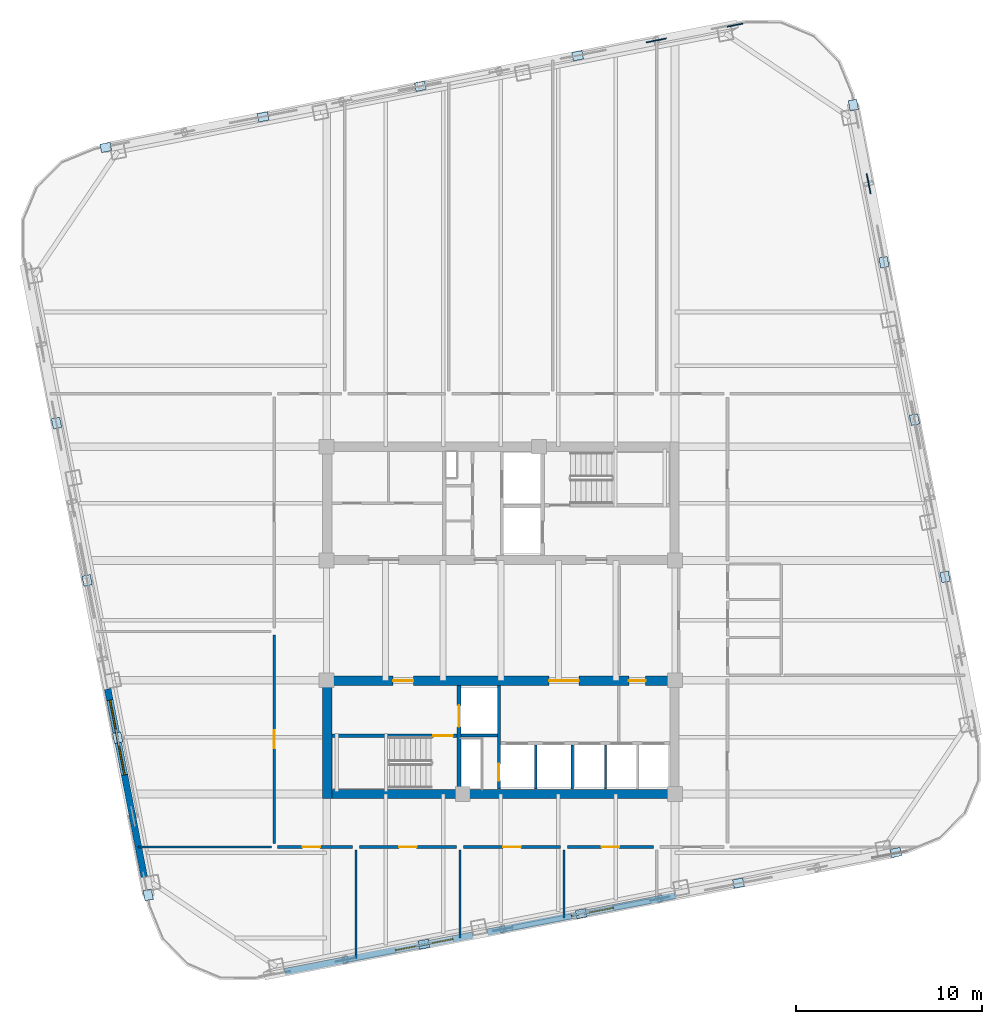
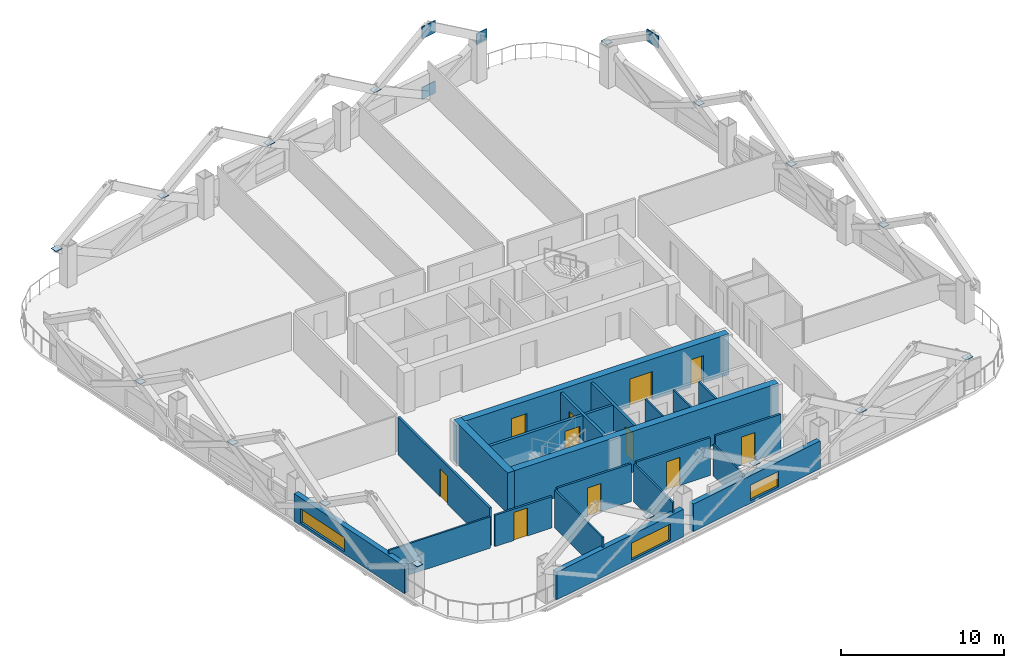
# One storey, part 4 of 10: 22 walls, 20 plates, 11 doors, 3 windows, 14 openings.
"""IFC4 building model written with IfcOpenShell, lengths in metres."""

from ifc_helpers import new_model, si_unit, direction, frame, frame_2d, origin, origin_2d, place, context, subcontext, project, spatial, rectangle, extrude, material, layer, layer_set, type_object, element, fill, save


model = new_model("IFC4")

# Units and contexts
model_context = context("Model", 3, precision=1e-05, world=origin(), true_north=direction((0.0, 1.0)))
body_context = subcontext(model_context, "Body", "Model", "MODEL_VIEW")
ifc_project = project(units=[si_unit("LENGTHUNIT", "METRE"), si_unit("AREAUNIT", "SQUARE_METRE"), si_unit("VOLUMEUNIT", "CUBIC_METRE"), si_unit("PLANEANGLEUNIT", "RADIAN"), si_unit("MASSUNIT", "GRAM", prefix="KILO")], contexts=[model_context])

# Site, building, storey
site_placement = place(None, origin())
site = spatial("IfcSite", under=ifc_project, at=site_placement, CompositionType="ELEMENT")
building_placement = place(site_placement, origin())
building = spatial("IfcBuilding", under=site, at=building_placement, Name="Qhalaya Broadcast Tower", CompositionType="ELEMENT")
storey_placement = place(building_placement, frame((0.0, 0.0, 125.0)))
storey = spatial("IfcBuildingStorey", under=building, at=storey_placement, Name="L36", CompositionType="ELEMENT", Elevation=125.0)

# Plates
ifc_material_1 = material(Name="Structural Steel ASTM A572 Grade 50", Category="steel")
ifc_layer_1 = layer(ifc_material_1, 0.054931640625, Name="Structural Steel ASTM A572 Grade 50")
ifc_layer_set_1 = layer_set([ifc_layer_1], Name="Structural Steel ASTM A572 Grade 50")
plate_type_1 = type_object("IfcPlateType", Name="Exoskeleton Diamond Node Gusset Plate NP-01", PredefinedType="USERDEFINED", material=ifc_layer_set_1)
for number, where, z_axis, x_axis, name in (
    (1, (19.804443359375, 24.109375, 4.75), (0.0, 0.0, 1.0), (-0.190808995377, 0.981627183448, 0.0), "Exoskeleton Diamond Node B3-E4-TOP"),
    (2, (8.370361328125, 31.82177734375, 0.2099609375), (0.0, 0.0, 1.0), (0.981627183448, 0.190808995377, 0.0), "Exoskeleton Diamond Node B3-N1-BOT"),
    (3, (8.370361328125, 31.82177734375, 4.75), (0.0, 0.0, 1.0), (0.981627183448, 0.190808995377, 0.0), "Exoskeleton Diamond Node B3-N1-TOP"),
):
    element("IfcPlate", number, at=place(storey_placement, frame(where, z_axis=z_axis, x_axis=x_axis)), inside=storey, type_object=plate_type_1, Name=name, ObjectType="GUSSET_PLATE", PredefinedType="USERDEFINED", context=body_context, shape_type="SweptSolid", body=[
        extrude(rectangle(XDim=1.10009765625, YDim=0.054931640625, at=origin_2d()), origin(), (0.0, 0.0, 1.0), 0.89990234375),
    ])
plate_placement = place(storey_placement, frame((12.603515625, 32.64453125, 2.264892578125), z_axis=(0.0, 0.0, 1.0), x_axis=(0.981627183448, 0.190808995377, 0.0)))
element("IfcPlate", 4, at=plate_placement, inside=storey, type_object=plate_type_1, Name="Exoskeleton Diamond Node B3-N1-MDL", ObjectType="GUSSET_PLATE", PredefinedType="USERDEFINED", context=body_context, shape_type="SweptSolid", body=[
    extrude(rectangle(XDim=0.85009765625, YDim=0.054931640625, at=origin_2d()), origin(), (0.0, 0.0, 1.0), 0.85009765625),
])
ifc_layer_2 = layer(ifc_material_1, 0.4599609375, Name="Structural Steel ASTM A572 Grade 50")
ifc_layer_set_2 = layer_set([ifc_layer_2], Name="Structural Steel ASTM A572 Grade 50")
plate_type_2 = type_object("IfcPlateType", Name="Hollow Box Member End Cap Plate CP-01", PredefinedType="USERDEFINED", material=ifc_layer_set_2)
for number, where, z_axis, x_axis, name in (
    (5, (-4.13720703125, -16.8388671875, 2.673828125), (0.0, 0.0, 1.0), (0.981627183448, 0.190808995377, 0.0), "Exoskeleton Hollow End Cap B3-S1"),
    (6, (4.32958984375, -15.193115234375, 2.673828125), (0.0, 0.0, 1.0), (0.981627183448, 0.190808995377, 0.0), "Exoskeleton Hollow End Cap B3-S2"),
    (7, (12.7958984375, -13.54736328125, 2.673828125), (0.0, 0.0, 1.0), (0.981627183448, 0.190808995377, 0.0), "Exoskeleton Hollow End Cap B3-S3"),
    (8, (21.262451171875, -11.901611328125, 2.673828125), (0.0, 0.0, 1.0), (0.981627183448, 0.190808995377, 0.0), "Exoskeleton Hollow End Cap B3-S4"),
    (9, (23.918701171875, 2.94287109375, 2.673828125), (0.0, 0.0, 1.0), (-0.190808995377, 0.981627183448, 0.0), "Exoskeleton Hollow End Cap B3-E1"),
    (10, (22.273193359375, 11.409423828125, 2.673828125), (0.0, 0.0, 1.0), (-0.190808995377, 0.981627183448, 0.0), "Exoskeleton Hollow End Cap B3-E2"),
    (11, (20.62744140625, 19.8759765625, 2.673828125), (0.0, 0.0, 1.0), (-0.190808995377, 0.981627183448, 0.0), "Exoskeleton Hollow End Cap B3-E3"),
    (12, (18.981689453125, 28.342529296875, 2.673828125), (0.0, 0.0, 1.0), (-0.190808995377, 0.981627183448, 0.0), "Exoskeleton Hollow End Cap B3-E4"),
    (13, (4.13720703125, 30.998779296875, 2.673828125), (0.0, 0.0, 1.0), (0.981627183448, 0.190808995377, 0.0), "Exoskeleton Hollow End Cap B3-N1"),
    (14, (-4.32958984375, 29.35302734375, 2.673828125), (0.0, 0.0, 1.0), (0.981627183448, 0.190808995377, 0.0), "Exoskeleton Hollow End Cap B3-N2"),
    (15, (-12.7958984375, 27.70751953125, 2.673828125), (0.0, 0.0, 1.0), (0.981627183448, 0.190808995377, 0.0), "Exoskeleton Hollow End Cap B3-N3"),
    (16, (-21.262451171875, 26.061767578125, 2.673828125), (0.0, 0.0, 1.0), (0.981627183448, 0.190808995377, 0.0), "Exoskeleton Hollow End Cap B3-N4"),
    (17, (-23.918701171875, 11.217041015625, 2.673828125), (0.0, 0.0, 1.0), (-0.190808995377, 0.981627183448, 0.0), "Exoskeleton Hollow End Cap B3-W1"),
    (18, (-22.273193359375, 2.75048828125, 2.673828125), (0.0, 0.0, 1.0), (-0.190808995377, 0.981627183448, 0.0), "Exoskeleton Hollow End Cap B3-W2"),
    (19, (-20.62744140625, -5.716064453125, 2.673828125), (0.0, 0.0, 1.0), (-0.190808995377, 0.981627183448, 0.0), "Exoskeleton Hollow End Cap B3-W3"),
    (20, (-18.981689453125, -14.1826171875, 2.673828125), (0.0, 0.0, 1.0), (-0.190808995377, 0.981627183448, 0.0), "Exoskeleton Hollow End Cap B3-W4"),
):
    element("IfcPlate", number, at=place(storey_placement, frame(where, z_axis=z_axis, x_axis=x_axis)), inside=storey, type_object=plate_type_2, Name=name, ObjectType="COVER_PLATE", PredefinedType="USERDEFINED", context=body_context, shape_type="SweptSolid", body=[
        extrude(rectangle(XDim=0.56005859375, YDim=0.4599609375, at=origin_2d()), origin(), (0.0, 0.0, 1.0), 0.031982421875),
    ])

# Wall, opening, door
ifc_material_2 = material(Name="Gypsum Acoustic Partition")
ifc_layer_3 = layer(ifc_material_2, 0.14990234375, Name="Gypsum Acoustic Partition")
ifc_layer_set_3 = layer_set([ifc_layer_3], Name="Gypsum Acoustic Partition")
wall_type_1 = type_object("IfcWallType", Name="Corridor & Tenancy Acoustic Partition 150", PredefinedType="PARTITIONING", material=ifc_layer_set_3)
wall_1_placement = place(storey_placement, frame((-12.02001953125, -11.60009765625, 0.0), z_axis=(0.0, 0.0, 1.0), x_axis=(1.0, 0.0, 0.0)))
wall_1 = element("IfcWall", 21, at=wall_1_placement, inside=storey, type_object=wall_type_1, Name="L36 Partition Wall W-COR-06", PredefinedType="PARTITIONING", context=body_context, shape_type="SweptSolid", body=[
    extrude(rectangle(XDim=4.0400390625, YDim=0.14990234375, at=frame_2d((2.02001953125, 0.0))), origin(), (0.0, 0.0, 1.0), 2.346923828125),
])
opening_1_placement = place(wall_1_placement, frame((1.344970703125, 0.0, 0.0)))
opening_1 = element("IfcOpeningElement", 22, at=opening_1_placement, cuts=wall_1, Name="Opening D10", PredefinedType="OPENING", context=body_context, shape_type="SweptSolid", body=[
    extrude(rectangle(XDim=0.949951171875, YDim=2.10009765625, at=frame_2d((0.47509765625, 1.050048828125))), frame((0.0, 0.0869140625, 0.0), z_axis=(0.0, -1.0, 0.0), x_axis=(1.0, 0.0, 0.0)), (0.0, 0.0, 1.0), 0.173828125),
])
ifc_material_3 = material(Name="Timber Veneer Acoustic Door", Category="wood")
door_type_1 = type_object("IfcDoorType", Name="Cellular Office & Edit Booth Door D10", OperationType="NOTDEFINED", PredefinedType="DOOR", material=ifc_material_3)
door_1_placement = place(opening_1_placement, origin())
door_1 = element("IfcDoor", 23, at=door_1_placement, inside=storey, type_object=door_type_1, Name="L36 Door D-RM06", OperationType="SINGLE_SWING_LEFT", OverallHeight=2.10009765625, OverallWidth=0.949951171875, PredefinedType="DOOR", context=body_context, shape_type="SweptSolid", body=[
    extrude(rectangle(XDim=0.949951171875, YDim=2.10009765625, at=frame_2d((0.47509765625, 1.050048828125))), frame((0.0, 0.02490234375, 0.0), z_axis=(0.0, -1.0, 0.0), x_axis=(1.0, 0.0, 0.0)), (0.0, 0.0, 1.0), 0.050048828125),
])
fill(opening_1, door_1)

wall_2_placement = place(storey_placement, frame((-7.6201171875, -11.60009765625, 0.0), z_axis=(0.0, 0.0, 1.0), x_axis=(1.0, 0.0, 0.0)))
wall_2 = element("IfcWall", 24, at=wall_2_placement, inside=storey, type_object=wall_type_1, Name="L36 Partition Wall W-COR-07", PredefinedType="PARTITIONING", context=body_context, shape_type="SweptSolid", body=[
    extrude(rectangle(XDim=5.240234375, YDim=0.14990234375, at=frame_2d((2.6201171875, 0.0))), origin(), (0.0, 0.0, 1.0), 2.830078125),
])
opening_2_placement = place(wall_2_placement, frame((2.14501953125, 0.0, 0.0)))
opening_2 = element("IfcOpeningElement", 25, at=opening_2_placement, cuts=wall_2, Name="Opening D10", PredefinedType="OPENING", context=body_context, shape_type="SweptSolid", body=[
    extrude(rectangle(XDim=0.949951171875, YDim=2.10009765625, at=frame_2d((0.47509765625, 1.050048828125))), frame((0.0, 0.0869140625, 0.0), z_axis=(0.0, -1.0, 0.0), x_axis=(1.0, 0.0, 0.0)), (0.0, 0.0, 1.0), 0.173828125),
])
door_2_placement = place(opening_2_placement, origin())
door_2 = element("IfcDoor", 26, at=door_2_placement, inside=storey, type_object=door_type_1, Name="L36 Door D-RM07", OperationType="SINGLE_SWING_RIGHT", OverallHeight=2.10009765625, OverallWidth=0.949951171875, PredefinedType="DOOR", context=body_context, shape_type="SweptSolid", body=[
    extrude(rectangle(XDim=0.949951171875, YDim=2.10009765625, at=frame_2d((0.47509765625, 1.050048828125))), frame((0.0, 0.02490234375, 0.0), z_axis=(0.0, -1.0, 0.0), x_axis=(1.0, 0.0, 0.0)), (0.0, 0.0, 1.0), 0.050048828125),
])
fill(opening_2, door_2)

wall_3_placement = place(storey_placement, frame((-2.02001953125, -11.60009765625, 0.0), z_axis=(0.0, 0.0, 1.0), x_axis=(1.0, 0.0, 0.0)))
wall_3 = element("IfcWall", 27, at=wall_3_placement, inside=storey, type_object=wall_type_1, Name="L36 Partition Wall W-COR-08", PredefinedType="PARTITIONING", context=body_context, shape_type="SweptSolid", body=[
    extrude(rectangle(XDim=5.239990234375, YDim=0.14990234375, at=frame_2d((2.6201171875, 0.0))), origin(), (0.0, 0.0, 1.0), 2.830078125),
])
opening_3_placement = place(wall_3_placement, frame((2.14501953125, 0.0, 0.0)))
opening_3 = element("IfcOpeningElement", 28, at=opening_3_placement, cuts=wall_3, Name="Opening D10", PredefinedType="OPENING", context=body_context, shape_type="SweptSolid", body=[
    extrude(rectangle(XDim=0.949951171875, YDim=2.10009765625, at=frame_2d((0.47509765625, 1.050048828125))), frame((0.0, 0.0869140625, 0.0), z_axis=(0.0, -1.0, 0.0), x_axis=(1.0, 0.0, 0.0)), (0.0, 0.0, 1.0), 0.173828125),
])
door_3_placement = place(opening_3_placement, origin())
door_3 = element("IfcDoor", 29, at=door_3_placement, inside=storey, type_object=door_type_1, Name="L36 Door D-RM08", OperationType="SINGLE_SWING_LEFT", OverallHeight=2.10009765625, OverallWidth=0.949951171875, PredefinedType="DOOR", context=body_context, shape_type="SweptSolid", body=[
    extrude(rectangle(XDim=0.949951171875, YDim=2.10009765625, at=frame_2d((0.47509765625, 1.050048828125))), frame((0.0, 0.02490234375, 0.0), z_axis=(0.0, -1.0, 0.0), x_axis=(1.0, 0.0, 0.0)), (0.0, 0.0, 1.0), 0.050048828125),
])
fill(opening_3, door_3)

wall_4_placement = place(storey_placement, frame((3.580078125, -11.60009765625, 0.0), z_axis=(0.0, 0.0, 1.0), x_axis=(1.0, 0.0, 0.0)))
wall_4 = element("IfcWall", 30, at=wall_4_placement, inside=storey, type_object=wall_type_1, Name="L36 Partition Wall W-COR-09", PredefinedType="PARTITIONING", context=body_context, shape_type="SweptSolid", body=[
    extrude(rectangle(XDim=4.639892578125, YDim=0.14990234375, at=frame_2d((2.31982421875, 0.0))), origin(), (0.0, 0.0, 1.0), 2.830078125),
])
opening_4_placement = place(wall_4_placement, frame((1.844970703125, 0.0, 0.0)))
opening_4 = element("IfcOpeningElement", 31, at=opening_4_placement, cuts=wall_4, Name="Opening D10", PredefinedType="OPENING", context=body_context, shape_type="SweptSolid", body=[
    extrude(rectangle(XDim=0.949951171875, YDim=2.10009765625, at=frame_2d((0.47509765625, 1.050048828125))), frame((0.0, 0.0869140625, 0.0), z_axis=(0.0, -1.0, 0.0), x_axis=(1.0, 0.0, 0.0)), (0.0, 0.0, 1.0), 0.173828125),
])
door_4_placement = place(opening_4_placement, origin())
door_4 = element("IfcDoor", 32, at=door_4_placement, inside=storey, type_object=door_type_1, Name="L36 Door D-RM09", OperationType="SINGLE_SWING_RIGHT", OverallHeight=2.10009765625, OverallWidth=0.949951171875, PredefinedType="DOOR", context=body_context, shape_type="SweptSolid", body=[
    extrude(rectangle(XDim=0.949951171875, YDim=2.10009765625, at=frame_2d((0.47509765625, 1.050048828125))), frame((0.0, 0.02490234375, 0.0), z_axis=(0.0, -1.0, 0.0), x_axis=(1.0, 0.0, 0.0)), (0.0, 0.0, 1.0), 0.050048828125),
])
fill(opening_4, door_4)

wall_5_placement = place(storey_placement, frame((-12.199951171875, -11.419921875, 0.0), z_axis=(0.0, 0.0, 1.0), x_axis=(0.0, 1.0, 0.0)))
wall_5 = element("IfcWall", 33, at=wall_5_placement, inside=storey, type_object=wall_type_1, Name="L36 Partition Wall W-COR-11", PredefinedType="PARTITIONING", context=body_context, shape_type="SweptSolid", body=[
    extrude(rectangle(XDim=11.239990234375, YDim=0.14990234375, at=frame_2d((5.6201171875, 0.0))), origin(), (0.0, 0.0, 1.0), 2.830078125),
])
opening_5_placement = place(wall_5_placement, frame((5.14501953125, 0.0, 0.0)))
opening_5 = element("IfcOpeningElement", 34, at=opening_5_placement, cuts=wall_5, Name="Opening D10", PredefinedType="OPENING", context=body_context, shape_type="SweptSolid", body=[
    extrude(rectangle(XDim=0.949951171875, YDim=2.10009765625, at=frame_2d((0.47509765625, 1.050048828125))), frame((0.0, 0.0869140625, 0.0), z_axis=(0.0, -1.0, 0.0), x_axis=(1.0, 0.0, 0.0)), (0.0, 0.0, 1.0), 0.173828125),
])
door_5_placement = place(opening_5_placement, origin())
door_5 = element("IfcDoor", 35, at=door_5_placement, inside=storey, type_object=door_type_1, Name="L36 Door D-RM11", OperationType="SINGLE_SWING_RIGHT", OverallHeight=2.10009765625, OverallWidth=0.949951171875, PredefinedType="DOOR", context=body_context, shape_type="SweptSolid", body=[
    extrude(rectangle(XDim=0.949951171875, YDim=2.10009765625, at=frame_2d((0.47509765625, 1.050048828125))), frame((0.0, 0.02490234375, 0.0), z_axis=(0.0, -1.0, 0.0), x_axis=(1.0, 0.0, 0.0)), (0.0, 0.0, 1.0), 0.050048828125),
])
fill(opening_5, door_5)

# Wall, opening, window
ifc_material_4 = material(Name="Precast Concrete C40/50", Category="concrete")
ifc_layer_4 = layer(ifc_material_4, 0.360107421875, Name="Precast Concrete C40/50")
ifc_layer_set_4 = layer_set([ifc_layer_4], Name="Precast Concrete C40/50")
wall_type_2 = type_object("IfcWallType", Name="Insulated Precast Terracotta Exterior Wall 360", PredefinedType="SOLIDWALL", material=ifc_layer_set_4)
wall_6_placement = place(storey_placement, frame((9.388671875, -14.22998046875, 0.0), z_axis=(0.0, 0.0, 1.0), x_axis=(-0.981627477005, -0.190807485147, 0.0)))
wall_6 = element("IfcWall", 36, at=wall_6_placement, inside=storey, type_object=wall_type_2, Name="L36 Exoskeleton Diagrid Infill Wall S2", PredefinedType="SOLIDWALL", context=body_context, shape_type="SweptSolid", body=[
    extrude(rectangle(XDim=10.300048828125, YDim=0.360107421875, at=frame_2d((5.14990234375, 0.0))), origin(), (0.0, 0.0, 1.0), 2.06689453125),
])
opening_6_placement = place(wall_6_placement, frame((3.387939453125, 0.0, 0.199951171875)))
opening_6 = element("IfcOpeningElement", 37, at=opening_6_placement, cuts=wall_6, Name="Opening W11", PredefinedType="OPENING", context=body_context, shape_type="SweptSolid", body=[
    extrude(rectangle(XDim=2.300048828125, YDim=1.14990234375, at=frame_2d((1.14990234375, 0.574951171875))), frame((0.0, 0.192138671875, 0.0), z_axis=(0.0, -1.0, 0.0), x_axis=(1.0, 0.0, 0.0)), (0.0, 0.0, 1.0), 0.384033203125),
])
ifc_material_5 = material(Name="Solar-Control Low-E Triple Glazing", Category="glass")
window_type = type_object("IfcWindowType", Name="Odd-Block Diagrid Infill Window W11", PartitioningType="SINGLE_PANEL", PredefinedType="WINDOW", material=ifc_material_5)
window_1_placement = place(opening_6_placement, origin())
window_1 = element("IfcWindow", 38, at=window_1_placement, inside=storey, type_object=window_type, Name="L36 Diagrid Infill Window W11-S2", OverallHeight=1.14990234375, OverallWidth=2.300048828125, PartitioningType="SINGLE_PANEL", PredefinedType="WINDOW", context=body_context, shape_type="SweptSolid", body=[
    extrude(rectangle(XDim=2.300048828125, YDim=1.14990234375, at=frame_2d((1.14990234375, 0.574951171875))), frame((0.0, 0.030029296875, 0.0), z_axis=(0.0, -1.0, 0.0), x_axis=(1.0, 0.0, 0.0)), (0.0, 0.0, 1.0), 0.06005859375),
])
fill(opening_6, window_1)

wall_7_placement = place(storey_placement, frame((-1.50732421875, -16.34814453125, 0.0), z_axis=(0.0, 0.0, 1.0), x_axis=(-0.981628941133, -0.190799952646, 0.0)))
wall_7 = element("IfcWall", 39, at=wall_7_placement, inside=storey, type_object=wall_type_2, Name="L36 Exoskeleton Diagrid Infill Wall S3", PredefinedType="SOLIDWALL", context=body_context, shape_type="SweptSolid", body=[
    extrude(rectangle(XDim=10.31201171875, YDim=0.360107421875, at=frame_2d((5.156005859375, 0.0))), origin(), (0.0, 0.0, 1.0), 2.06689453125),
])
opening_7_placement = place(wall_7_placement, frame((1.087890625, 0.0, 0.199951171875)))
opening_7 = element("IfcOpeningElement", 40, at=opening_7_placement, cuts=wall_7, Name="Opening W11", PredefinedType="OPENING", context=body_context, shape_type="SweptSolid", body=[
    extrude(rectangle(XDim=3.14990234375, YDim=1.25, at=frame_2d((1.574951171875, 0.625))), frame((0.0, 0.192138671875, 0.0), z_axis=(0.0, -1.0, 0.0), x_axis=(1.0, 0.0, 0.0)), (0.0, 0.0, 1.0), 0.384033203125),
])
window_2_placement = place(opening_7_placement, origin())
window_2 = element("IfcWindow", 41, at=window_2_placement, inside=storey, type_object=window_type, Name="L36 Diagrid Infill Window W11-S3", OverallHeight=1.25, OverallWidth=3.14990234375, PartitioningType="SINGLE_PANEL", PredefinedType="WINDOW", context=body_context, shape_type="SweptSolid", body=[
    extrude(rectangle(XDim=3.14990234375, YDim=1.25, at=frame_2d((1.574951171875, 0.625))), frame((0.0, 0.030029296875, 0.0), z_axis=(0.0, -1.0, 0.0), x_axis=(1.0, 0.0, 0.0)), (0.0, 0.0, 1.0), 0.06005859375),
])
fill(opening_7, window_2)

wall_8_placement = place(storey_placement, frame((-19.189697265625, -13.216552734375, 0.0), z_axis=(0.0, 0.0, 1.0), x_axis=(-0.190822765986, 0.981624506612, 0.0)))
wall_8 = element("IfcWall", 42, at=wall_8_placement, inside=storey, type_object=wall_type_2, Name="L36 Exoskeleton Diagrid Infill Wall W1", PredefinedType="SOLIDWALL", context=body_context, shape_type="SweptSolid", body=[
    extrude(rectangle(XDim=10.31201171875, YDim=0.360107421875, at=frame_2d((5.156005859375, 0.0))), origin(), (0.0, 0.0, 1.0), 2.06689453125),
])
opening_8_placement = place(wall_8_placement, frame((5.60009765625, 0.0, 0.199951171875)))
opening_8 = element("IfcOpeningElement", 43, at=opening_8_placement, cuts=wall_8, Name="Opening W11", PredefinedType="OPENING", context=body_context, shape_type="SweptSolid", body=[
    extrude(rectangle(XDim=4.10009765625, YDim=1.050048828125, at=frame_2d((2.050048828125, 0.52490234375))), frame((0.0, 0.192138671875, 0.0), z_axis=(0.0, -1.0, 0.0), x_axis=(1.0, 0.0, 0.0)), (0.0, 0.0, 1.0), 0.384033203125),
])
window_3_placement = place(opening_8_placement, origin())
window_3 = element("IfcWindow", 44, at=window_3_placement, inside=storey, type_object=window_type, Name="L36 Diagrid Infill Window W11-W1", OverallHeight=1.050048828125, OverallWidth=4.10009765625, PartitioningType="SINGLE_PANEL", PredefinedType="WINDOW", context=body_context, shape_type="SweptSolid", body=[
    extrude(rectangle(XDim=4.10009765625, YDim=1.050048828125, at=frame_2d((2.050048828125, 0.52490234375))), frame((0.0, 0.030029296875, 0.0), z_axis=(0.0, -1.0, 0.0), x_axis=(1.0, 0.0, 0.0)), (0.0, 0.0, 1.0), 0.06005859375),
])
fill(opening_8, window_3)

# Wall, opening, door
ifc_material_6 = material(Name="Concrete C50/60", Category="concrete")
ifc_layer_5 = layer(ifc_material_6, 0.199951171875, Name="Concrete C50/60")
ifc_layer_set_5 = layer_set([ifc_layer_5], Name="Concrete C50/60")
wall_type_3 = type_object("IfcWallType", Name="Load-Bearing Stair Shaft Wall 200", PredefinedType="SHEAR", material=ifc_layer_set_5)
wall_9_placement = place(storey_placement, frame((-9.080078125, -5.60498046875, 0.0), z_axis=(0.0, 0.0, 1.0), x_axis=(1.0, 0.0, 0.0)))
wall_9 = element("IfcWall", 45, at=wall_9_placement, inside=storey, type_object=wall_type_3, Name="L36 Stair Core Shear Wall SCW-ST2", PredefinedType="SHEAR", context=body_context, shape_type="SweptSolid", body=[
    extrude(rectangle(XDim=6.719970703125, YDim=0.199951171875, at=frame_2d((3.35986328125, 0.0))), origin(), (0.0, 0.0, 1.0), 2.830078125),
])
opening_9_placement = place(wall_9_placement, frame((5.449951171875, 0.0, 0.0)))
opening_9 = element("IfcOpeningElement", 46, at=opening_9_placement, cuts=wall_9, Name="Opening D03", PredefinedType="OPENING", context=body_context, shape_type="SweptSolid", body=[
    extrude(rectangle(XDim=1.050048828125, YDim=2.080078125, at=frame_2d((0.52490234375, 1.0400390625))), frame((0.0, 0.112060546875, 0.0), z_axis=(0.0, -1.0, 0.0), x_axis=(1.0, 0.0, 0.0)), (0.0, 0.0, 1.0), 0.223876953125),
])
ifc_material_7 = material(Name="Fire-Rated Steel Door", Category="steel")
door_type_2 = type_object("IfcDoorType", Name="Core Stair Protected Fire Door D03", OperationType="NOTDEFINED", PredefinedType="DOOR", material=ifc_material_7)
door_6_placement = place(opening_9_placement, origin())
door_6 = element("IfcDoor", 47, at=door_6_placement, inside=storey, type_object=door_type_2, Name="L36 Door D-SST2", OperationType="SINGLE_SWING_RIGHT", OverallHeight=2.080078125, OverallWidth=1.050048828125, PredefinedType="DOOR", context=body_context, shape_type="SweptSolid", body=[
    extrude(rectangle(XDim=1.050048828125, YDim=2.080078125, at=frame_2d((0.52490234375, 1.0400390625))), frame((0.0, 0.02490234375, 0.0), z_axis=(0.0, -1.0, 0.0), x_axis=(1.0, 0.0, 0.0)), (0.0, 0.0, 1.0), 0.050048828125),
])
fill(opening_9, door_6)

wall_10_placement = place(storey_placement, frame((-2.25, -8.47998046875, 0.0), z_axis=(0.0, 0.0, 1.0), x_axis=(0.0, 1.0, 0.0)))
wall_10 = element("IfcWall", 48, at=wall_10_placement, inside=storey, type_object=wall_type_3, Name="L36 Stair Core Shear Wall SCW-FF", PredefinedType="SHEAR", context=body_context, shape_type="SweptSolid", body=[
    extrude(rectangle(XDim=5.56005859375, YDim=0.199951171875, at=frame_2d((2.780029296875, 0.0))), origin(), (0.0, 0.0, 1.0), 2.830078125),
])
opening_10_placement = place(wall_10_placement, frame((3.35009765625, 0.0, 0.0)))
opening_10 = element("IfcOpeningElement", 49, at=opening_10_placement, cuts=wall_10, Name="Opening LD2", PredefinedType="OPENING", context=body_context, shape_type="SweptSolid", body=[
    extrude(rectangle(XDim=1.14990234375, YDim=2.080078125, at=frame_2d((0.574951171875, 1.0400390625))), frame((0.0, 0.112060546875, 0.0), z_axis=(0.0, -1.0, 0.0), x_axis=(1.0, 0.0, 0.0)), (0.0, 0.0, 1.0), 0.223876953125),
])
ifc_material_8 = material(Name="Brushed Stainless Steel Lift Door", Category="steel")
door_type_3 = type_object("IfcDoorType", Name="Firefighting Lift Sliding Landing Door LD2", OperationType="DOUBLE_DOOR_SLIDING", PredefinedType="DOOR", material=ifc_material_8)
door_7_placement = place(opening_10_placement, origin())
door_7 = element("IfcDoor", 50, at=door_7_placement, inside=storey, type_object=door_type_3, Name="L36 Door LD-FF2", OperationType="DOUBLE_DOOR_SLIDING", OverallHeight=2.080078125, OverallWidth=1.14990234375, PredefinedType="DOOR", context=body_context, shape_type="SweptSolid", body=[
    extrude(rectangle(XDim=1.14990234375, YDim=2.080078125, at=frame_2d((0.574951171875, 1.0400390625))), frame((0.0, 0.02490234375, 0.0), z_axis=(0.0, -1.0, 0.0), x_axis=(1.0, 0.0, 0.0)), (0.0, 0.0, 1.0), 0.050048828125),
])
fill(opening_10, door_7)

# Wall
ifc_layer_6 = layer(ifc_material_6, 0.5, Name="Concrete C50/60")
ifc_layer_set_6 = layer_set([ifc_layer_6], Name="Concrete C50/60")
wall_type_4 = type_object("IfcWallType", Name="Mid Split-Core Shear Wall 500", PredefinedType="SHEAR", material=ifc_layer_set_6)
wall_11_placement = place(storey_placement, frame((-9.60009765625, -8.75, 0.0), z_axis=(0.0, 0.0, 1.0), x_axis=(1.0, 0.0, 0.0)))
element("IfcWall", 51, at=wall_11_placement, inside=storey, type_object=wall_type_4, Name="L36 Split-Core Shear Wall CW-SS", PredefinedType="SHEAR", context=body_context, shape_type="SweptSolid", body=[
    extrude(rectangle(XDim=19.2001953125, YDim=0.5, at=frame_2d((9.60009765625, 0.0))), origin(), (0.0, 0.0, 1.0), 3.050048828125),
])

# Wall, openings, doors
wall_12_placement = place(storey_placement, frame((-9.60009765625, -2.64990234375, 0.0), z_axis=(0.0, 0.0, 1.0), x_axis=(1.0, 0.0, 0.0)))
wall_12 = element("IfcWall", 52, at=wall_12_placement, inside=storey, type_object=wall_type_4, Name="L36 Split-Core Shear Wall CW-SN", PredefinedType="SHEAR", context=body_context, shape_type="SweptSolid", body=[
    extrude(rectangle(XDim=19.2001953125, YDim=0.5, at=frame_2d((9.60009765625, 0.0))), origin(), (0.0, 0.0, 1.0), 3.050048828125),
])
opening_11_placement = place(wall_12_placement, frame((3.800048828125, 0.0, 0.0)))
opening_11 = element("IfcOpeningElement", 53, at=opening_11_placement, cuts=wall_12, Name="Opening D04", PredefinedType="OPENING", context=body_context, shape_type="SweptSolid", body=[
    extrude(rectangle(XDim=1.10009765625, YDim=2.080078125, at=frame_2d((0.550048828125, 1.0400390625))), frame((0.0, 0.261962890625, 0.0), z_axis=(0.0, -1.0, 0.0), x_axis=(1.0, 0.0, 0.0)), (0.0, 0.0, 1.0), 0.52392578125),
])
opening_12_placement = place(wall_12_placement, frame((12.199951171875, 0.0, 0.0)))
opening_12 = element("IfcOpeningElement", 54, at=opening_12_placement, cuts=wall_12, Name="Opening D07", PredefinedType="OPENING", context=body_context, shape_type="SweptSolid", body=[
    extrude(rectangle(XDim=1.60009765625, YDim=2.1201171875, at=frame_2d((0.800048828125, 1.06005859375))), frame((0.0, 0.261962890625, 0.0), z_axis=(0.0, -1.0, 0.0), x_axis=(1.0, 0.0, 0.0)), (0.0, 0.0, 1.0), 0.52392578125),
])
opening_13_placement = place(wall_12_placement, frame((16.5, 0.0, 0.0)))
opening_13 = element("IfcOpeningElement", 55, at=opening_13_placement, cuts=wall_12, Name="Opening D06", PredefinedType="OPENING", context=body_context, shape_type="SweptSolid", body=[
    extrude(rectangle(XDim=0.89990234375, YDim=2.050048828125, at=frame_2d((0.449951171875, 1.02490234375))), frame((0.0, 0.261962890625, 0.0), z_axis=(0.0, -1.0, 0.0), x_axis=(1.0, 0.0, 0.0)), (0.0, 0.0, 1.0), 0.52392578125),
])
door_type_4 = type_object("IfcDoorType", Name="Firefighting Lobby Rated Door D04", OperationType="NOTDEFINED", PredefinedType="DOOR", material=ifc_material_7)
door_8_placement = place(opening_11_placement, origin())
door_8 = element("IfcDoor", 56, at=door_8_placement, inside=storey, type_object=door_type_4, Name="L36 Door D-SFF", OperationType="SINGLE_SWING_LEFT", OverallHeight=2.080078125, OverallWidth=1.10009765625, PredefinedType="DOOR", context=body_context, shape_type="SweptSolid", body=[
    extrude(rectangle(XDim=1.10009765625, YDim=2.080078125, at=frame_2d((0.550048828125, 1.0400390625))), frame((0.0, 0.02490234375, 0.0), z_axis=(0.0, -1.0, 0.0), x_axis=(1.0, 0.0, 0.0)), (0.0, 0.0, 1.0), 0.050048828125),
])
fill(opening_11, door_8)
ifc_material_9 = material(Name="Anodised Aluminium Glazed Door", Category="aluminium")
door_type_5 = type_object("IfcDoorType", Name="Passenger Lift Lobby Double Glazed Door D07", OperationType="DOUBLE_DOOR_SINGLE_SWING", PredefinedType="DOOR", material=ifc_material_9)
door_9_placement = place(opening_12_placement, origin())
door_9 = element("IfcDoor", 57, at=door_9_placement, inside=storey, type_object=door_type_5, Name="L36 Door D-SPLL", OperationType="DOUBLE_DOOR_SINGLE_SWING", OverallHeight=2.1201171875, OverallWidth=1.60009765625, PredefinedType="DOOR", context=body_context, shape_type="SweptSolid", body=[
    extrude(rectangle(XDim=1.60009765625, YDim=2.1201171875, at=frame_2d((0.800048828125, 1.06005859375))), frame((0.0, 0.02490234375, 0.0), z_axis=(0.0, -1.0, 0.0), x_axis=(1.0, 0.0, 0.0)), (0.0, 0.0, 1.0), 0.050048828125),
])
fill(opening_12, door_9)
door_type_6 = type_object("IfcDoorType", Name="Riser & Electrical Shaft Access Door D06", OperationType="NOTDEFINED", PredefinedType="DOOR", material=ifc_material_7)
door_10_placement = place(opening_13_placement, origin())
door_10 = element("IfcDoor", 58, at=door_10_placement, inside=storey, type_object=door_type_6, Name="L36 Door D-SSCST", OperationType="SINGLE_SWING_LEFT", OverallHeight=2.050048828125, OverallWidth=0.89990234375, PredefinedType="DOOR", context=body_context, shape_type="SweptSolid", body=[
    extrude(rectangle(XDim=0.89990234375, YDim=2.050048828125, at=frame_2d((0.449951171875, 1.02490234375))), frame((0.0, 0.02490234375, 0.0), z_axis=(0.0, -1.0, 0.0), x_axis=(1.0, 0.0, 0.0)), (0.0, 0.0, 1.0), 0.050048828125),
])
fill(opening_13, door_10)

# Walls
wall_13_placement = place(storey_placement, frame((-9.35009765625, -9.0, 0.0), z_axis=(0.0, 0.0, 1.0), x_axis=(0.0, 1.0, 0.0)))
element("IfcWall", 59, at=wall_13_placement, inside=storey, type_object=wall_type_4, Name="L36 Split-Core Shear Wall CW-SW", PredefinedType="SHEAR", context=body_context, shape_type="SweptSolid", body=[
    extrude(rectangle(XDim=6.60009765625, YDim=0.5, at=frame_2d((3.300048828125, 0.0))), origin(), (0.0, 0.0, 1.0), 3.050048828125),
])
ifc_layer_7 = layer(ifc_material_2, 0.1201171875, Name="Gypsum Acoustic Partition")
ifc_layer_set_7 = layer_set([ifc_layer_7], Name="Gypsum Acoustic Partition")
wall_type_5 = type_object("IfcWallType", Name="Office, Booth & Sanitary Partition 120", PredefinedType="PARTITIONING", material=ifc_layer_set_7)
for number, where, z_axis, x_axis, name in (
    (60, (1.8798828125, -8.47998046875, 0.0), (0.0, 0.0, 1.0), (0.0, 1.0, 0.0), "L36 Partition Wall SCW-MD4"),
    (61, (3.85009765625, -8.47998046875, 0.0), (0.0, 0.0, 1.0), (0.0, 1.0, 0.0), "L36 Partition Wall SCW-MD5"),
    (62, (5.639892578125, -8.47998046875, 0.0), (0.0, 0.0, 1.0), (0.0, 1.0, 0.0), "L36 Partition Wall SCW-HD6"),
):
    element("IfcWall", number, at=place(storey_placement, frame(where, z_axis=z_axis, x_axis=x_axis)), inside=storey, type_object=wall_type_5, Name=name, PredefinedType="PARTITIONING", context=body_context, shape_type="SweptSolid", body=[
        extrude(rectangle(XDim=2.3798828125, YDim=0.1201171875, at=frame_2d((1.18994140625, 0.0))), origin(), (0.0, 0.0, 1.0), 2.830078125),
    ])
wall_14_placement = place(storey_placement, frame((-19.5244140625, -11.60009765625, 0.0), z_axis=(0.0, 0.0, 1.0), x_axis=(1.0, 0.0, 0.0)))
element("IfcWall", 63, at=wall_14_placement, inside=storey, type_object=wall_type_5, Name="L36 Partition Wall W-BNDW2", PredefinedType="PARTITIONING", context=body_context, shape_type="SweptSolid", body=[
    extrude(rectangle(XDim=7.184326171875, YDim=0.1201171875, at=frame_2d((3.59228515625, 0.0))), origin(), (0.0, 0.0, 1.0), 2.346923828125),
])
wall_15_placement = place(storey_placement, frame((-7.800048828125, -17.591552734375, 0.0), z_axis=(0.0, 0.0, 1.0), x_axis=(0.0, 1.0, 0.0)))
element("IfcWall", 64, at=wall_15_placement, inside=storey, type_object=wall_type_5, Name="L36 Partition Wall W-DIVS1", PredefinedType="PARTITIONING", context=body_context, shape_type="SweptSolid", body=[
    extrude(rectangle(XDim=5.83154296875, YDim=0.1201171875, at=frame_2d((2.915771484375, 0.0))), origin(), (0.0, 0.0, 1.0), 2.830078125),
])
wall_16_placement = place(storey_placement, frame((-2.199951171875, -16.5029296875, 0.0), z_axis=(0.0, 0.0, 1.0), x_axis=(0.0, 1.0, 0.0)))
element("IfcWall", 65, at=wall_16_placement, inside=storey, type_object=wall_type_5, Name="L36 Partition Wall W-DIVS2", PredefinedType="PARTITIONING", context=body_context, shape_type="SweptSolid", body=[
    extrude(rectangle(XDim=4.742919921875, YDim=0.1201171875, at=frame_2d((2.37158203125, 0.0))), origin(), (0.0, 0.0, 1.0), 2.830078125),
])
wall_17_placement = place(storey_placement, frame((3.39990234375, -15.41455078125, 0.0), z_axis=(0.0, 0.0, 1.0), x_axis=(0.0, 1.0, 0.0)))
element("IfcWall", 66, at=wall_17_placement, inside=storey, type_object=wall_type_5, Name="L36 Partition Wall W-DIVS3", PredefinedType="PARTITIONING", context=body_context, shape_type="SweptSolid", body=[
    extrude(rectangle(XDim=3.654541015625, YDim=0.1201171875, at=frame_2d((1.8271484375, 0.0))), origin(), (0.0, 0.0, 1.0), 2.346923828125),
])

# Wall, opening, door
ifc_layer_8 = layer(ifc_material_2, 0.175048828125, Name="Gypsum Acoustic Partition")
ifc_layer_set_8 = layer_set([ifc_layer_8], Name="Gypsum Acoustic Partition")
wall_type_6 = type_object("IfcWallType", Name="Shaft & Riser Fire Partition 175", PredefinedType="PARTITIONING", material=ifc_layer_set_8)
wall_18_placement = place(storey_placement, frame((-0.10009765625, -8.47998046875, 0.0), z_axis=(0.0, 0.0, 1.0), x_axis=(0.0, 1.0, 0.0)))
wall_18 = element("IfcWall", 67, at=wall_18_placement, inside=storey, type_object=wall_type_6, Name="L36 Partition Wall SCW-FFE", PredefinedType="PARTITIONING", context=body_context, shape_type="SweptSolid", body=[
    extrude(rectangle(XDim=5.56005859375, YDim=0.175048828125, at=frame_2d((2.780029296875, 0.0))), origin(), (0.0, 0.0, 1.0), 2.830078125),
])
opening_14_placement = place(wall_18_placement, frame((0.449951171875, 0.0, 0.0)))
opening_14 = element("IfcOpeningElement", 68, at=opening_14_placement, cuts=wall_18, Name="Opening D06", PredefinedType="OPENING", context=body_context, shape_type="SweptSolid", body=[
    extrude(rectangle(XDim=0.89990234375, YDim=2.050048828125, at=frame_2d((0.449951171875, 1.02490234375))), frame((0.0, 0.099609375, 0.0), z_axis=(0.0, -1.0, 0.0), x_axis=(1.0, 0.0, 0.0)), (0.0, 0.0, 1.0), 0.198974609375),
])
door_11_placement = place(opening_14_placement, origin())
door_11 = element("IfcDoor", 69, at=door_11_placement, inside=storey, type_object=door_type_6, Name="L36 Riser Shaft Access Door D-SRSR", OperationType="SINGLE_SWING_LEFT", OverallHeight=2.050048828125, OverallWidth=0.89990234375, PredefinedType="DOOR", context=body_context, shape_type="SweptSolid", body=[
    extrude(rectangle(XDim=0.89990234375, YDim=2.050048828125, at=frame_2d((0.449951171875, 1.02490234375))), frame((0.0, 0.02490234375, 0.0), z_axis=(0.0, -1.0, 0.0), x_axis=(1.0, 0.0, 0.0)), (0.0, 0.0, 1.0), 0.050048828125),
])
fill(opening_14, door_11)

# Wall
wall_19_placement = place(storey_placement, frame((-2.14990234375, -5.60009765625, 0.0), z_axis=(0.0, 0.0, 1.0), x_axis=(1.0, 0.0, 0.0)))
element("IfcWall", 70, at=wall_19_placement, inside=storey, type_object=wall_type_6, Name="L36 Partition Wall SCW-FFM", PredefinedType="PARTITIONING", context=body_context, shape_type="SweptSolid", body=[
    extrude(rectangle(XDim=1.969970703125, YDim=0.175048828125, at=frame_2d((0.98486328125, 0.0))), origin(), (0.0, 0.0, 1.0), 2.830078125),
])

save(model, "model.ifc")
